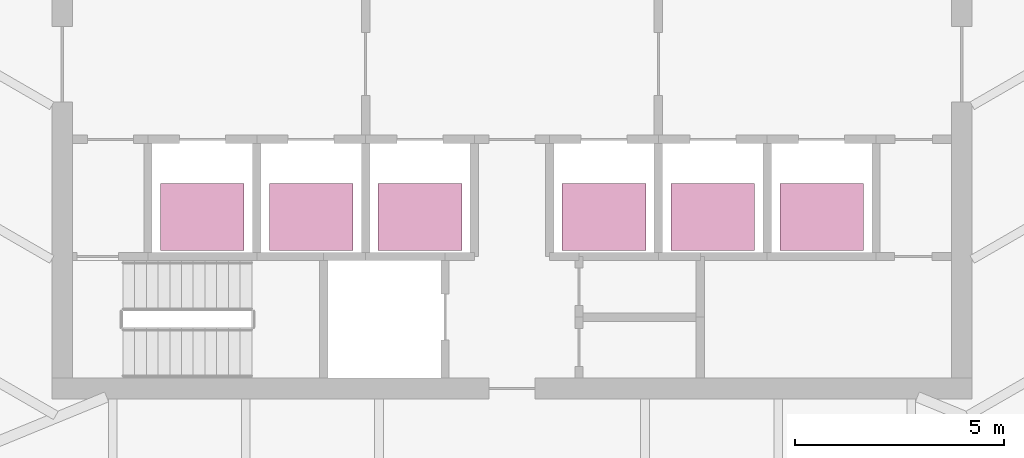
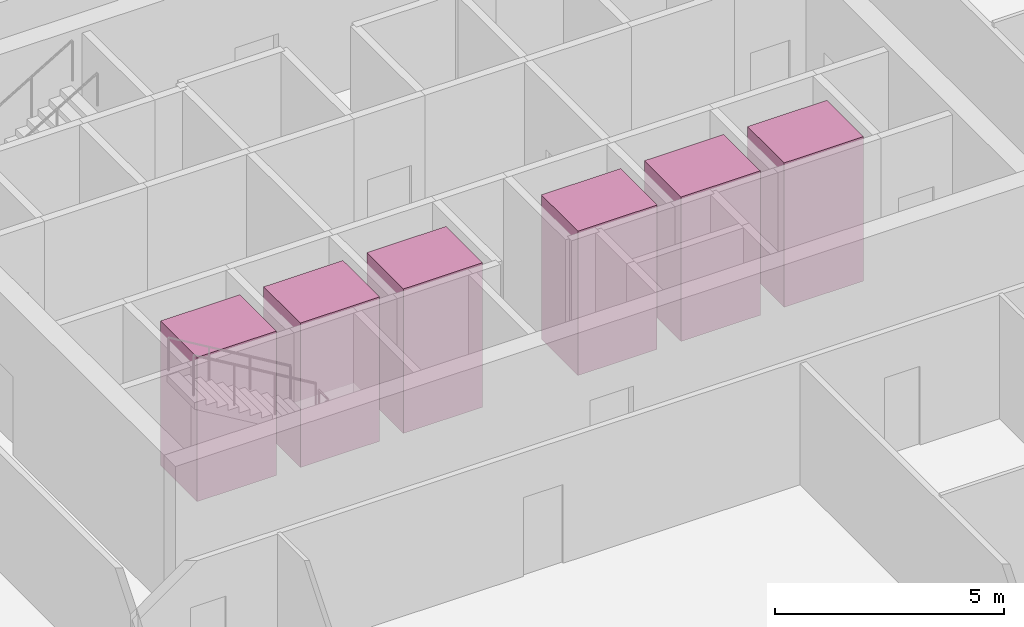
# One storey, part 17 of 17: 6 transport elements.
"""IFC4 building model written with IfcOpenShell, lengths in metres."""

from ifc_helpers import new_model, si_unit, direction, frame, origin, origin_2d, place, context, subcontext, project, spatial, rectangle, extrude, material, type_object, element, save


model = new_model("IFC4")

# Units and contexts
model_context = context("Model", 3, precision=1e-05, world=origin(), true_north=direction((0.0, 1.0)))
body_context = subcontext(model_context, "Body", "Model", "MODEL_VIEW")
ifc_project = project(units=[si_unit("LENGTHUNIT", "METRE"), si_unit("AREAUNIT", "SQUARE_METRE"), si_unit("VOLUMEUNIT", "CUBIC_METRE"), si_unit("PLANEANGLEUNIT", "RADIAN"), si_unit("MASSUNIT", "GRAM", prefix="KILO")], contexts=[model_context])

# Site, building, storey
site_placement = place(None, origin())
site = spatial("IfcSite", under=ifc_project, at=site_placement, CompositionType="ELEMENT")
building_placement = place(site_placement, origin())
building = spatial("IfcBuilding", under=site, at=building_placement, Name="Sierra Prisma Convention Tower", CompositionType="ELEMENT")
storey_placement = place(building_placement, frame((0.0, 0.0, 169.800048828125)))
storey = spatial("IfcBuildingStorey", under=building, at=storey_placement, Name="L37", CompositionType="ELEMENT", Elevation=169.800048828125)

# Transport elements
ifc_material = material(Name="Stainless steel", Category="steel")
transport_element_type = type_object("IfcTransportElementType", Name="Lift car office low 2000x1600 1600 kg", PredefinedType="ELEVATOR", material=ifc_material)
for number, where, z_axis, x_axis, name in (
    (1, (-7.39990234375, -3.64990234375, 0.0), (0.0, 0.0, 1.0), (1.0, 0.0, 0.0), "Lift OL1"),
    (2, (-4.800048828125, -3.64990234375, 0.0), (0.0, 0.0, 1.0), (1.0, 0.0, 0.0), "Lift OL2"),
    (3, (-2.199951171875, -3.64990234375, 0.0), (0.0, 0.0, 1.0), (1.0, 0.0, 0.0), "Lift OL3"),
    (4, (2.199951171875, -3.64990234375, 0.0), (0.0, 0.0, 1.0), (1.0, 0.0, 0.0), "Lift OL4"),
    (5, (4.800048828125, -3.64990234375, 0.0), (0.0, 0.0, 1.0), (1.0, 0.0, 0.0), "Lift OL5"),
    (6, (7.39990234375, -3.64990234375, 0.0), (0.0, 0.0, 1.0), (1.0, 0.0, 0.0), "Lift OL6"),
):
    element("IfcTransportElement", number, at=place(storey_placement, frame(where, z_axis=z_axis, x_axis=x_axis)), inside=storey, type_object=transport_element_type, Name=name, PredefinedType="ELEVATOR", context=body_context, shape_type="SweptSolid", body=[
        extrude(rectangle(XDim=2.0, YDim=1.60009765625, at=origin_2d()), origin(), (0.0, 0.0, 1.0), 3.85009765625),
    ])

save(model, "model.ifc")
